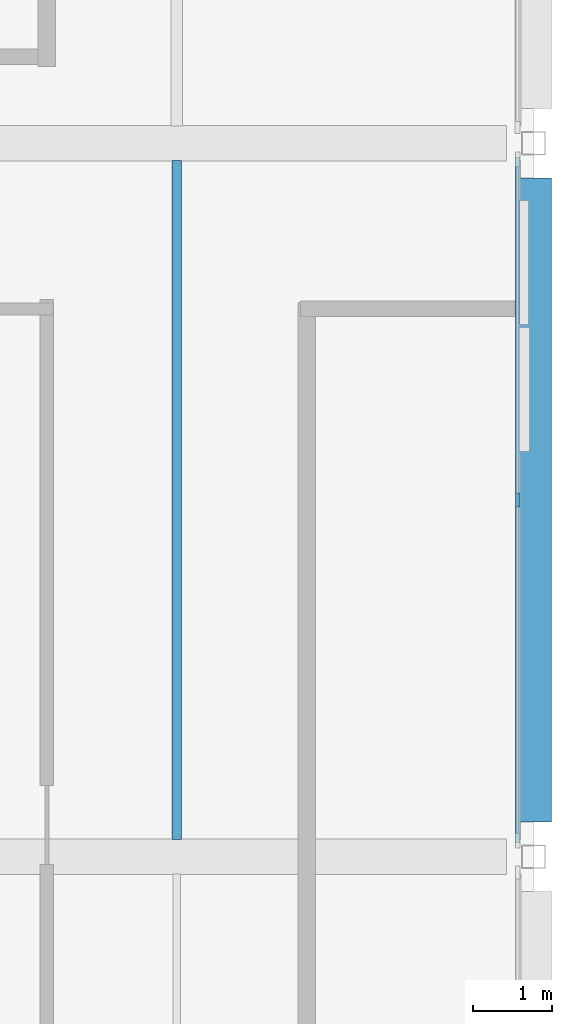
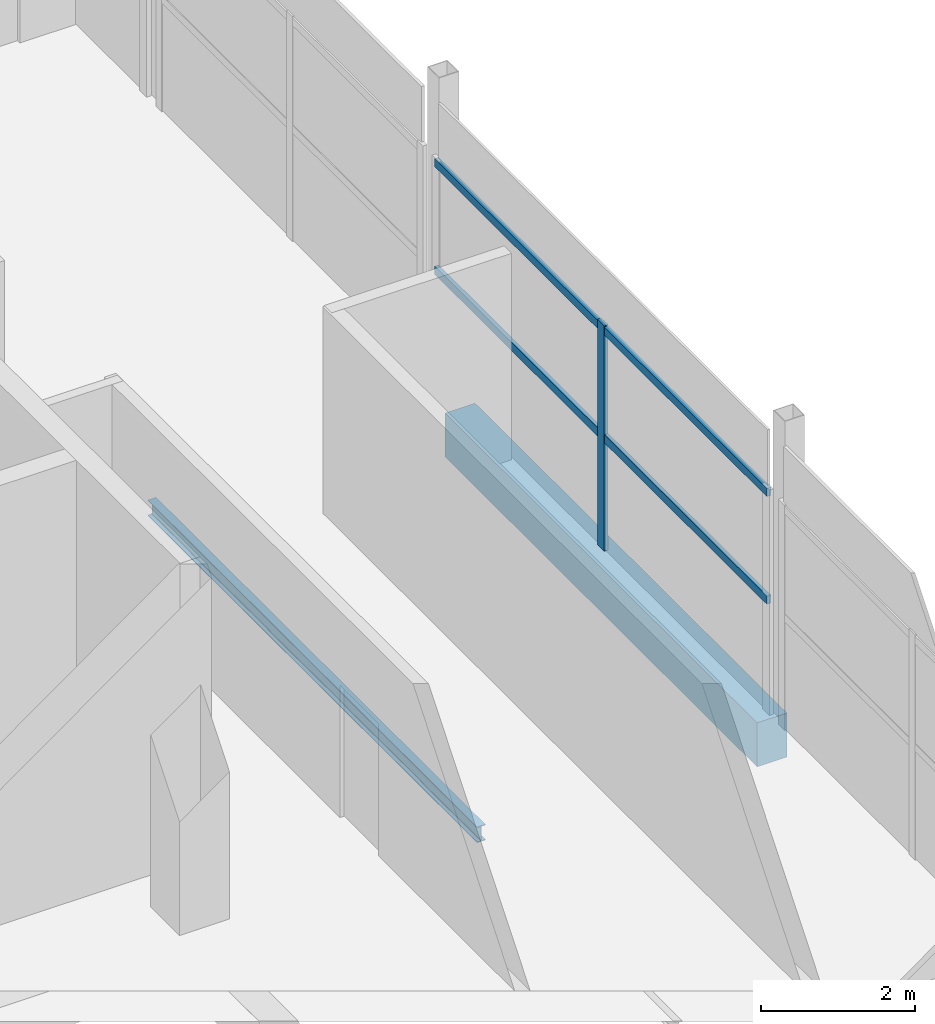
# One storey, part 35 of 66: 3 members, 2 beams, 1 element without a shape of its own.
"""IFC4 building model written with IfcOpenShell, lengths in metres."""

from ifc_helpers import new_model, si_unit, direction, frame, origin, origin_2d, place, context, subcontext, project, spatial, rectangle, i_section, extrude, material, material_profile, profile_set, type_object, element, aggregate, save


model = new_model("IFC4")

# Units and contexts
model_context = context("Model", 3, precision=1e-05, world=origin(), true_north=direction((0.0, 1.0)))
body_context = subcontext(model_context, "Body", "Model", "MODEL_VIEW")
ifc_project = project(units=[si_unit("LENGTHUNIT", "METRE"), si_unit("AREAUNIT", "SQUARE_METRE"), si_unit("VOLUMEUNIT", "CUBIC_METRE"), si_unit("PLANEANGLEUNIT", "RADIAN"), si_unit("MASSUNIT", "GRAM", prefix="KILO"), si_unit("THERMODYNAMICTEMPERATUREUNIT", "KELVIN"), si_unit("POWERUNIT", "WATT")], contexts=[model_context])

# Site, building, storey
site_placement = place(None, origin())
site = spatial("IfcSite", under=ifc_project, at=site_placement, CompositionType="ELEMENT")
building_placement = place(site_placement, origin())
building = spatial("IfcBuilding", under=site, at=building_placement, Name="Sindhuravela Promenade Stadium", CompositionType="ELEMENT")
storey_placement = place(building_placement, frame((0.0, 0.0, 19.199951171875)))
storey = spatial("IfcBuildingStorey", under=building, at=storey_placement, Name="L04", CompositionType="ELEMENT", Elevation=19.199951171875)

# Curtain wall, members
ifc_material_1 = material(Name="Anodised architectural aluminium 6063-T6", Category="aluminium")
curtain_wall_type = type_object("IfcCurtainWallType", Name="CW-MOD-7", PredefinedType="NOTDEFINED", material=ifc_material_1)
curtain_wall_placement = place(storey_placement, origin())
curtain_wall = element("IfcCurtainWall", 1, at=curtain_wall_placement, inside=storey, type_object=curtain_wall_type, Name="Bronze curtain wall CW-EAST-L04-134", PredefinedType="NOTDEFINED")
ifc_material_profile_1 = material_profile(ifc_material_1, rectangle(XDim=0.06005859375, YDim=0.179931640625, at=origin_2d()), Name="ALU M60x180")
ifc_profile_set_1 = profile_set([ifc_material_profile_1], Name="Anodised architectural aluminium 6063-T6")
member_type_1 = type_object("IfcMemberType", Name="CW-MUL-3", PredefinedType="MULLION", material=ifc_profile_set_1)
member_1_placement = place(storey_placement, frame((206.800048828125, 72.89990234375, 0.0), z_axis=(0.0, 0.0, 1.0), x_axis=(1.0, 0.0, 0.0)))
member_1 = element("IfcMember", 2, at=member_1_placement, type_object=member_type_1, Name="Curtain wall mullion CW-EAST-L04-134-M2", PredefinedType="MULLION", context=body_context, shape_type="SweptSolid", body=[
    extrude(rectangle(XDim=0.06005859375, YDim=0.179931640625, at=origin_2d()), origin(), (0.0, 0.0, 1.0), 3.580078125),
])
ifc_material_profile_2 = material_profile(ifc_material_1, rectangle(XDim=0.06005859375, YDim=0.1298828125, at=origin_2d()), Name="ALU T60x130")
ifc_profile_set_2 = profile_set([ifc_material_profile_2], Name="Anodised architectural aluminium 6063-T6")
member_type_2 = type_object("IfcMemberType", Name="CW-TRN-3", PredefinedType="USERDEFINED", material=ifc_profile_set_2)
member_2_placement = place(storey_placement, frame((206.800048828125, 77.22509765625, 1.7900390625), z_axis=(0.0, -1.0, 0.0), x_axis=(1.0, 0.0, 0.0)))
member_2 = element("IfcMember", 3, at=member_2_placement, type_object=member_type_2, Name="Curtain wall transom CW-EAST-L04-134-T1", ObjectType="TRANSOM", PredefinedType="USERDEFINED", context=body_context, shape_type="SweptSolid", body=[
    extrude(rectangle(XDim=0.06005859375, YDim=0.1298828125, at=origin_2d()), origin(), (0.0, 0.0, 1.0), 8.650146484375),
])
member_3_placement = place(storey_placement, frame((206.800048828125, 77.22509765625, 3.5), z_axis=(0.0, -1.0, 0.0), x_axis=(1.0, 0.0, 0.0)))
member_3 = element("IfcMember", 4, at=member_3_placement, type_object=member_type_2, Name="Curtain wall transom CW-EAST-L04-134-T2", ObjectType="TRANSOM", PredefinedType="USERDEFINED", context=body_context, shape_type="SweptSolid", body=[
    extrude(rectangle(XDim=0.06005859375, YDim=0.1298828125, at=origin_2d()), origin(), (0.0, 0.0, 1.0), 8.650146484375),
])
aggregate(curtain_wall, [member_1, member_2, member_3])

# Beams
ifc_material_2 = material(Name="Concrete M40", Category="concrete")
ifc_material_profile_3 = material_profile(ifc_material_2, rectangle(XDim=0.449951171875, YDim=0.699951171875, at=origin_2d()), Name="RC 450x700")
ifc_profile_set_3 = profile_set([ifc_material_profile_3], Name="Concrete M40")
beam_type_1 = type_object("IfcBeamType", Name="RC-BM-450x700", PredefinedType="BEAM", material=ifc_profile_set_3)
beam_1_placement = place(storey_placement, frame((207.0, 68.840087890625, -0.669921875), z_axis=(0.0, 1.0, 0.0), x_axis=(-1.0, 0.0, 0.0)))
element("IfcBeam", 5, at=beam_1_placement, inside=storey, type_object=beam_type_1, Name="Primary beam GB07 EAST L04", PredefinedType="BEAM", context=body_context, shape_type="SweptSolid", body=[
    extrude(rectangle(XDim=0.449951171875, YDim=0.699951171875, at=origin_2d()), origin(), (0.0, 0.0, 1.0), 8.119873046875),
])
ifc_material_3 = material(Name="Steel E350 (IS 2062 E350BR)", Category="steel")
ifc_material_profile_4 = material_profile(ifc_material_3, i_section(OverallWidth=0.125, OverallDepth=0.25, WebThickness=0.0068359375, FlangeThickness=0.012451171875, FilletRadius=0.012939453125, at=origin_2d()), Name="ISMB 250")
ifc_profile_set_4 = profile_set([ifc_material_profile_4], Name="Steel E350 (IS 2062 E350BR)")
beam_type_2 = type_object("IfcBeamType", Name="ST-BM-MB250", PredefinedType="JOIST", material=ifc_profile_set_4)
beam_2_placement = place(storey_placement, frame((202.5, 68.614990234375, -0.445068359375), z_axis=(0.0, 1.0, 0.0), x_axis=(-1.0, 0.0, 0.0)))
element("IfcBeam", 6, at=beam_2_placement, inside=storey, type_object=beam_type_2, Name="Secondary floor joist SB02 EAST L04", PredefinedType="JOIST", context=body_context, shape_type="SweptSolid", body=[
    extrude(i_section(OverallWidth=0.125, OverallDepth=0.25, WebThickness=0.0068359375, FlangeThickness=0.012451171875, FilletRadius=0.012939453125, at=origin_2d()), origin(), (0.0, 0.0, 1.0), 8.570068359375),
])

save(model, "model.ifc")
